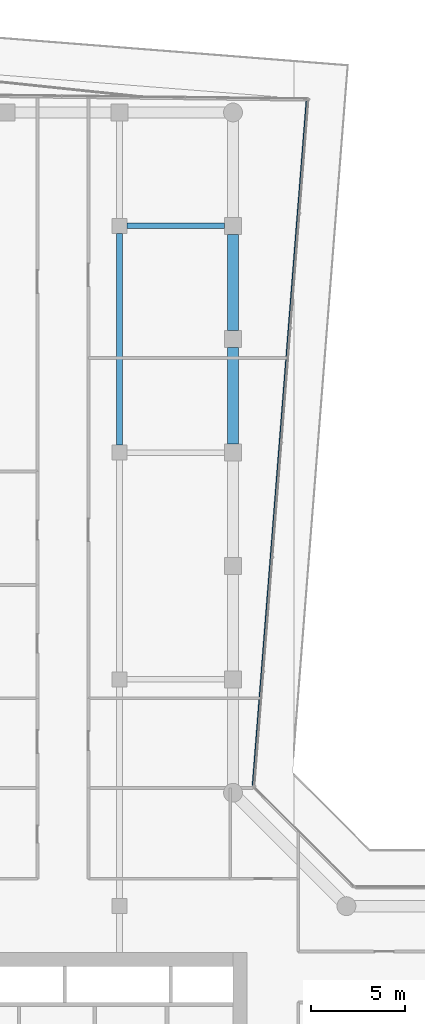
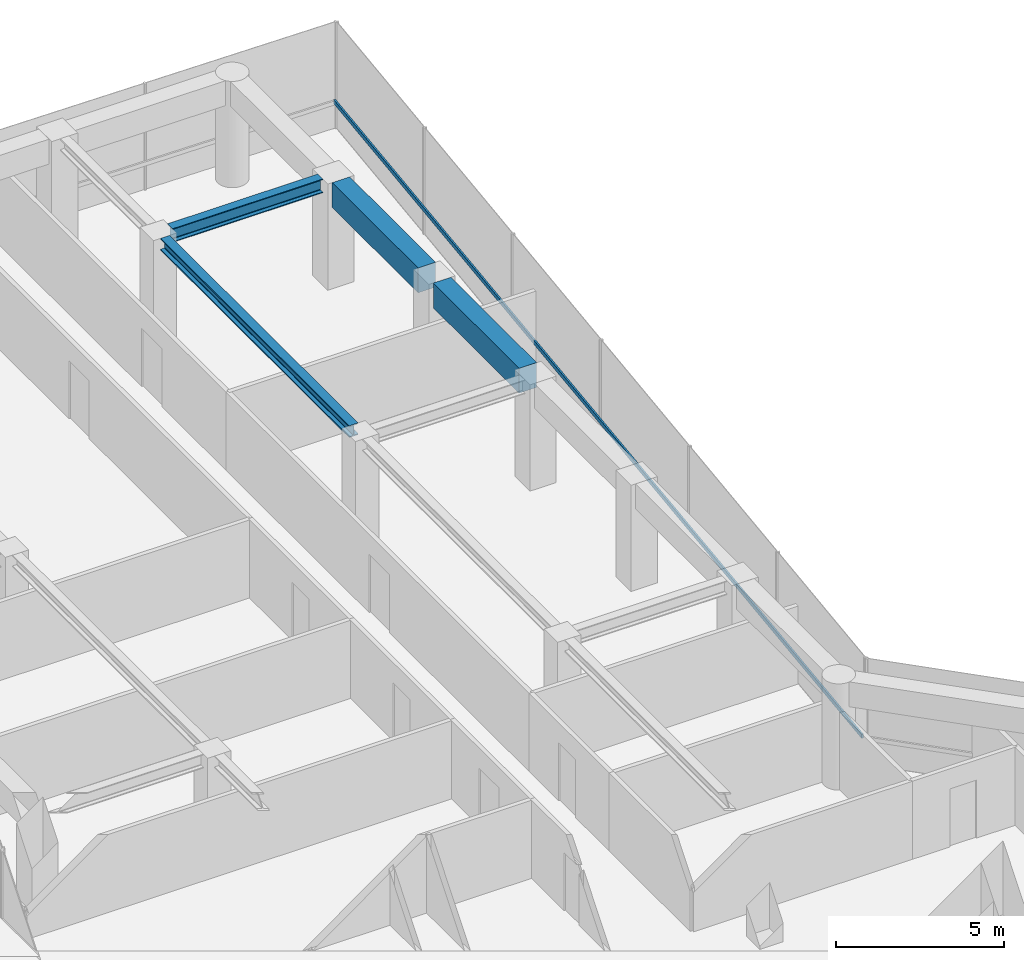
# One storey, part 16 of 24: 4 beams, 1 member, 1 element without a shape of its own.
"""IFC4 building model written with IfcOpenShell, lengths in metres."""

from ifc_helpers import new_model, si_unit, direction, frame, origin, origin_2d, place, context, subcontext, project, spatial, rectangle, i_section, extrude, material, layer, layer_set, material_profile, profile_set, type_object, element, aggregate, save


model = new_model("IFC4")

# Units and contexts
model_context = context("Model", 3, precision=1e-05, world=origin(), true_north=direction((0.0, 1.0)))
body_context = subcontext(model_context, "Body", "Model", "MODEL_VIEW")
ifc_project = project(units=[si_unit("LENGTHUNIT", "METRE"), si_unit("AREAUNIT", "SQUARE_METRE"), si_unit("VOLUMEUNIT", "CUBIC_METRE"), si_unit("PLANEANGLEUNIT", "RADIAN"), si_unit("MASSUNIT", "GRAM", prefix="KILO")], contexts=[model_context])

# Site, building, storey
site_placement = place(None, origin())
site = spatial("IfcSite", under=ifc_project, at=site_placement, CompositionType="ELEMENT")
building_placement = place(site_placement, origin())
building = spatial("IfcBuilding", under=site, at=building_placement, Name="Welwitschia Terrace Campus", CompositionType="ELEMENT")
storey_placement = place(building_placement, frame((0.0, 0.0, 129.800048828125)))
storey = spatial("IfcBuildingStorey", under=building, at=storey_placement, Name="L29", CompositionType="ELEMENT", Elevation=129.800048828125)

# Beams
ifc_material_1 = material(Name="Steel S355", Category="steel")
ifc_material_profile_1 = material_profile(ifc_material_1, i_section(OverallWidth=0.306884765625, OverallDepth=0.431884765625, WebThickness=0.02099609375, FlangeThickness=0.0400390625, FilletRadius=0.027099609375, at=origin_2d()))
ifc_profile_set_1 = profile_set([ifc_material_profile_1], Name="Steel S355")
beam_type_1 = type_object("IfcBeamType", Name="Interior girder HE 400 M", PredefinedType="BEAM", material=ifc_profile_set_1)
beam_1_placement = place(storey_placement, frame((18.0, 52.400390625, 3.634033203125), z_axis=(0.0, 1.0, 0.0), x_axis=(-1.0, 0.0, 0.0)))
element("IfcBeam", 1, at=beam_1_placement, inside=storey, type_object=beam_type_1, Name="Girder GB3", PredefinedType="BEAM", context=body_context, shape_type="SweptSolid", body=[
    extrude(i_section(OverallWidth=0.306884765625, OverallDepth=0.431884765625, WebThickness=0.02099609375, FlangeThickness=0.0400390625, FilletRadius=0.027099609375, at=origin_2d()), origin(), (0.0, 0.0, 1.0), 11.19921875),
])
ifc_material_2 = material(Name="Steel S355", Category="steel")
ifc_material_profile_2 = material_profile(ifc_material_2, i_section(OverallWidth=0.300048828125, OverallDepth=0.5, WebThickness=0.014404296875, FlangeThickness=0.028076171875, FilletRadius=0.027099609375, at=origin_2d()))
ifc_profile_set_2 = profile_set([ifc_material_profile_2], Name="Steel S355")
beam_type_2 = type_object("IfcBeamType", Name="Primary beam HE 500 B", PredefinedType="BEAM", material=ifc_profile_set_2)
beam_2_placement = place(storey_placement, frame((23.549560546875, 64.0, 3.599853515625), z_axis=(-1.0, 0.0, 0.0), x_axis=(0.0, -1.0, 0.0)))
element("IfcBeam", 2, at=beam_2_placement, inside=storey, type_object=beam_type_2, Name="Primary beam PB3", PredefinedType="BEAM", context=body_context, shape_type="SweptSolid", body=[
    extrude(i_section(OverallWidth=0.300048828125, OverallDepth=0.5, WebThickness=0.014404296875, FlangeThickness=0.028076171875, FilletRadius=0.027099609375, at=origin_2d()), origin(), (0.0, 0.0, 1.0), 5.149169921875),
])
ifc_material_3 = material(Name="Concrete C60/75", Category="concrete")
ifc_material_profile_3 = material_profile(ifc_material_3, rectangle(XDim=0.60009765625, YDim=0.89990234375, at=origin_2d()))
ifc_profile_set_3 = profile_set([ifc_material_profile_3], Name="Concrete C60/75")
beam_type_3 = type_object("IfcBeamType", Name="Ring spandrel 600x900", PredefinedType="SPANDREL", material=ifc_profile_set_3)
for number, where, z_axis, x_axis, name in (
    (3, (24.0, 52.450439453125, 3.39990234375), (0.0, 1.0, 0.0), (-1.0, 0.0, 0.0), "Spandrel SP2"),
    (4, (24.0, 58.450439453125, 3.39990234375), (0.0, 1.0, 0.0), (-1.0, 0.0, 0.0), "Spandrel SP2"),
):
    element("IfcBeam", number, at=place(storey_placement, frame(where, z_axis=z_axis, x_axis=x_axis)), inside=storey, type_object=beam_type_3, Name=name, PredefinedType="SPANDREL", context=body_context, shape_type="SweptSolid", body=[
        extrude(rectangle(XDim=0.60009765625, YDim=0.89990234375, at=origin_2d()), origin(), (0.0, 0.0, 1.0), 5.09912109375),
    ])

# Curtain wall, member
ifc_material_4 = material(Name="Bronze anodised aluminium", Category="aluminium")
ifc_layer = layer(ifc_material_4, 0.1201171875)
ifc_layer_set = layer_set([ifc_layer], Name="Bronze anodised aluminium")
curtain_wall_type = type_object("IfcCurtainWallType", Name="Curtain wall CW2 tower 6000", PredefinedType="NOTDEFINED", material=ifc_layer_set)
curtain_wall_placement = place(storey_placement, origin())
curtain_wall = element("IfcCurtainWall", 5, at=curtain_wall_placement, inside=storey, type_object=curtain_wall_type, Name="CW L29.10.0", PredefinedType="NOTDEFINED")
ifc_material_5 = material(Name="Bronze anodised aluminium", Category="aluminium")
ifc_material_profile_4 = material_profile(ifc_material_5, rectangle(XDim=0.06005859375, YDim=0.14990234375, at=origin_2d()))
ifc_profile_set_4 = profile_set([ifc_material_profile_4], Name="Bronze anodised aluminium")
member_type = type_object("IfcMemberType", Name="Transom 60x150", PredefinedType="USERDEFINED", material=ifc_profile_set_4)
member_placement = place(storey_placement, frame((25.042724609375, 34.395751953125, 1.0), z_axis=(0.078456505893, 0.996917537554, 0.0), x_axis=(-0.996917537554, 0.078456505893, 0.0)))
member = element("IfcMember", 6, at=member_placement, type_object=member_type, Name="Transom L29.10.0", ObjectType="TRANSOM", PredefinedType="USERDEFINED", context=body_context, shape_type="SweptSolid", body=[
    extrude(rectangle(XDim=0.06005859375, YDim=0.14990234375, at=origin_2d()), origin(), (0.0, 0.0, 1.0), 36.392333984375),
])
aggregate(curtain_wall, [member])

save(model, "model.ifc")
